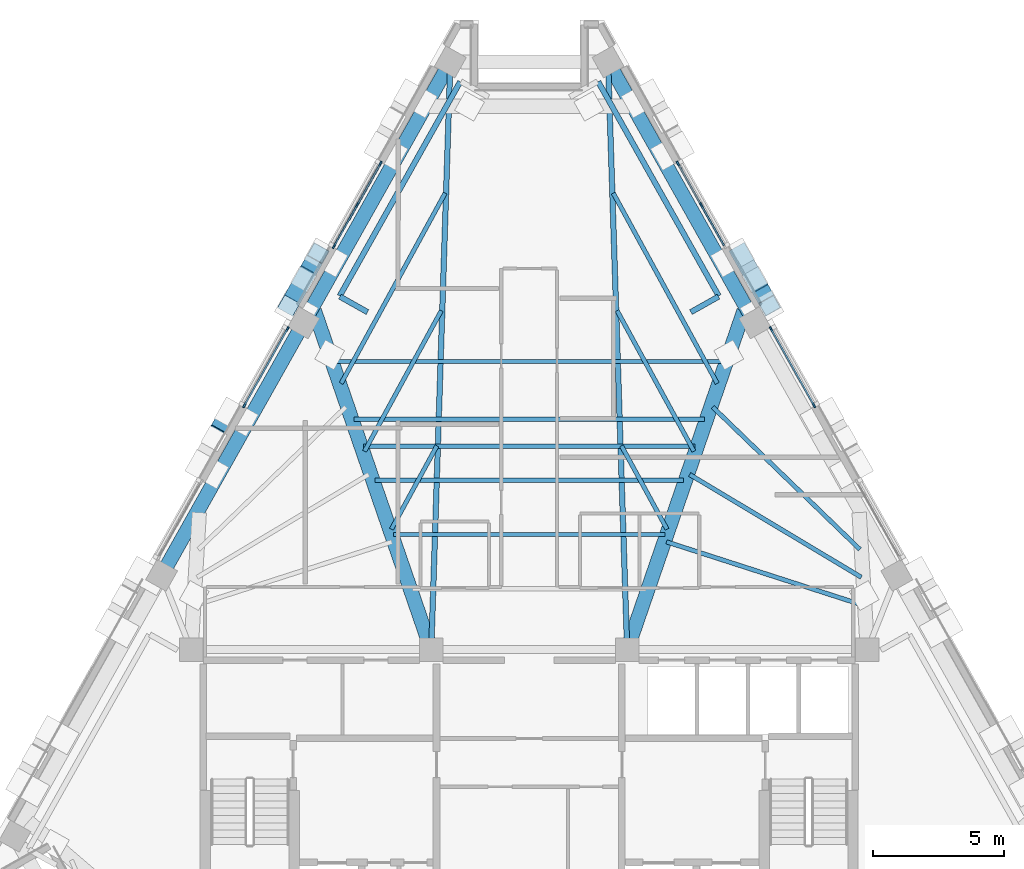
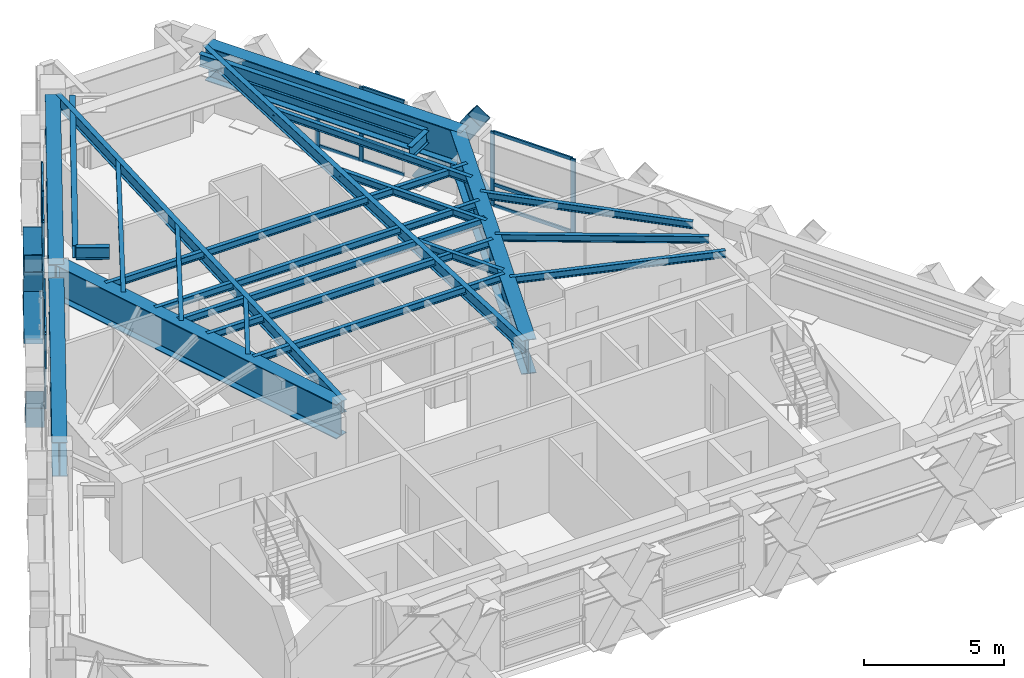
# One storey, part 4 of 13: 31 members, 25 beams, 4 elements without a shape of their own.
"""IFC4 building model written with IfcOpenShell, lengths in metres."""

import ifcopenshell
import ifcopenshell.guid

model = None  # the IFC model being written
_history = None  # IfcOwnerHistory: only IFC2X3 demands one
_inside = {}  # id of a spatial element -> (the spatial element, [elements in it])
_under = {}  # id of a project, library or spatial element -> (it, [spatial elements below it])
_declared = {}  # id of a project -> (the project, [libraries it declares])
_typed = {}  # id of a type object -> (the type object, [elements of that type])
_made_of = {}  # id of a material, layer set ... -> (it, [elements and type objects made of it])


def new_model(schema):
    """Start an empty IFC model of exactly this schema.

    Asked for "IFC4X3", IfcOpenShell would pick the latest addendum, in which some entities
    have other attributes; the version numbers below select the first issue.
    IFC2X3 requires an IfcOwnerHistory on every rooted entity: one is made here for all.
    """
    global model, _history
    if schema == "IFC4X3":
        model = ifcopenshell.file(schema_version=(4, 3, 0, 0))
    else:
        model = ifcopenshell.file(schema=schema)
    _inside.clear()
    _under.clear()
    _declared.clear()
    _typed.clear()
    _made_of.clear()
    _history = None
    if model.schema == "IFC2X3":
        org = make("IfcOrganization", Name="unknown")
        user = make(
            "IfcPersonAndOrganization",
            ThePerson=make("IfcPerson", FamilyName="unknown"),
            TheOrganization=org,
        )
        app = make(
            "IfcApplication",
            ApplicationDeveloper=org,
            Version="unknown",
            ApplicationFullName="unknown",
            ApplicationIdentifier="unknown",
        )
        _history = make(
            "IfcOwnerHistory",
            OwningUser=user,
            OwningApplication=app,
            ChangeAction="ADDED",
            CreationDate=0,
        )
    return model


def make(cls, **values):
    """One entity of the class cls with the attributes given. An attribute that is None is left unset."""
    return model.create_entity(
        cls, **{name: value for name, value in values.items() if value is not None}
    )


def rooted(cls, **values):
    """An entity with a GlobalId (a new one), such as an element, a storey or a relation."""
    return make(cls, GlobalId=ifcopenshell.guid.new(), OwnerHistory=_history, **values)


def si_unit(unit_type, name, prefix=None):
    """IfcSIUnit, for example si_unit("LENGTHUNIT", "METRE", prefix="MILLI")."""
    return make("IfcSIUnit", UnitType=unit_type, Prefix=prefix, Name=name)


def assignment(units):
    """IfcUnitAssignment: the units of a project."""
    return None if units is None else make("IfcUnitAssignment", Units=units)


def point(xyz):
    """IfcCartesianPoint."""
    return None if xyz is None else make("IfcCartesianPoint", Coordinates=xyz)


def direction(xyz):
    """IfcDirection."""
    return None if xyz is None else make("IfcDirection", DirectionRatios=xyz)


def frame(location, z_axis=None, x_axis=None):
    """IfcAxis2Placement3D, a coordinate frame: its origin and axes. An axis left out is left unset."""
    return make(
        "IfcAxis2Placement3D",
        Location=point(location),
        Axis=direction(z_axis),
        RefDirection=direction(x_axis),
    )


def frame_2d(location, x_axis=None):
    """IfcAxis2Placement2D, a coordinate frame in the plane: its origin and x axis."""
    return make(
        "IfcAxis2Placement2D", Location=point(location), RefDirection=direction(x_axis)
    )


def origin():
    """The frame at (0, 0, 0) with its axes left unset."""
    return frame((0.0, 0.0, 0.0))


def origin_2d():
    """The frame at (0, 0) in the plane with its x axis left unset."""
    return frame_2d((0.0, 0.0))


def place(relative_to, where):
    """IfcLocalPlacement: puts the frame where relative to a parent placement (None: the world)."""
    return make(
        "IfcLocalPlacement", PlacementRelTo=relative_to, RelativePlacement=where
    )


def context(
    kind, dimensions, precision=None, world=None, true_north=None, identifier=None
):
    """IfcGeometricRepresentationContext, for example the 3D "Model" context."""
    return make(
        "IfcGeometricRepresentationContext",
        ContextIdentifier=identifier,
        ContextType=kind,
        CoordinateSpaceDimension=dimensions,
        Precision=precision,
        WorldCoordinateSystem=world,
        TrueNorth=true_north,
    )


def subcontext(parent, identifier, kind, view, scale=None):
    """IfcGeometricRepresentationSubContext, for example "Body" below "Model"."""
    return make(
        "IfcGeometricRepresentationSubContext",
        ContextIdentifier=identifier,
        ContextType=kind,
        ParentContext=parent,
        TargetScale=scale,
        TargetView=view,
    )


def project(units=None, contexts=None):
    """IfcProject with its units and contexts."""
    return rooted(
        "IfcProject",
        Name="project",
        RepresentationContexts=contexts,
        UnitsInContext=assignment(units),
    )


def spatial(cls, under=None, at=None, **own):
    """A site, building, storey or space (cls), placed at a placement, below another one or the project."""
    s = rooted(cls, ObjectPlacement=at, **own)
    if under is not None:
        _under.setdefault(under.id(), (under, []))[1].append(s)
    return s


def profile(cls, at=None, kind="AREA", **sizes):
    """A parametric profile (cls). Its sizes go by their IFC names, for example OverallWidth=200.0."""
    return make(cls, ProfileType=kind, Position=at, **sizes)


def rectangle(**sizes):
    """IfcRectangleProfileDef."""
    return profile("IfcRectangleProfileDef", **sizes)


def hollow_rectangle(**sizes):
    """IfcRectangleHollowProfileDef."""
    return profile("IfcRectangleHollowProfileDef", **sizes)


def i_section(**sizes):
    """IfcIShapeProfileDef."""
    return profile("IfcIShapeProfileDef", **sizes)


def extrude(swept, where, along, depth):
    """IfcExtrudedAreaSolid: the profile swept, set in the frame where, extruded along a direction by depth."""
    return make(
        "IfcExtrudedAreaSolid",
        SweptArea=swept,
        Position=where,
        ExtrudedDirection=direction(along),
        Depth=depth,
    )


def shape(context_of_items, identifier, shape_type, items):
    """IfcShapeRepresentation: the items that make up one representation, for example the "Body"."""
    return make(
        "IfcShapeRepresentation",
        ContextOfItems=context_of_items,
        RepresentationIdentifier=identifier,
        RepresentationType=shape_type,
        Items=items,
    )


def material(Name=None, Category=None):
    """IfcMaterial."""
    return make("IfcMaterial", Name=Name, Category=Category)


def material_profile(
    of_material, cross_section, Name=None, Category=None, Priority=None
):
    """IfcMaterialProfile: a cross section and its material."""
    return make(
        "IfcMaterialProfile",
        Name=Name,
        Material=of_material,
        Profile=cross_section,
        Priority=Priority,
        Category=Category,
    )


def profile_set(profiles, Name=None, composite=None):
    """IfcMaterialProfileSet."""
    return make(
        "IfcMaterialProfileSet",
        Name=Name,
        MaterialProfiles=profiles,
        CompositeProfile=composite,
    )


def made_of(thing, what):
    """Note that an element or type object is made of a material, layer set ...; save() writes the relation."""
    if what is not None:
        _made_of.setdefault(what.id(), (what, []))[1].append(thing)
    return thing


def type_object(cls, material=None, **own):
    """A type object (cls), such as IfcWallType, which elements share."""
    return made_of(rooted(cls, **own), material)


def element(
    cls,
    number,
    at=None,
    inside=None,
    cuts=None,
    type_object=None,
    material=None,
    context=None,
    identifier="Body",
    shape_type=None,
    held_by="IfcProductDefinitionShape",
    body=None,
    shapes=None,
    **own,
):
    """One element of the class cls, such as IfcWall. Its Tag is "e" and its number.

    at: its placement. inside: the storey or other place that contains it. cuts: it is an
    opening in that element (IfcRelVoidsElement). A single representation is given by context,
    identifier, shape_type and body (its items); several are given by shapes. held_by: the class
    of the entity that holds the representations. save() writes the other relations.
    """
    e = rooted(cls, Tag="e%d" % number, ObjectPlacement=at, **own)
    if body is not None:
        shapes = [shape(context, identifier, shape_type, body)]
    if shapes is not None:
        e.Representation = make(held_by, Representations=shapes)
    if inside is not None:
        _inside.setdefault(inside.id(), (inside, []))[1].append(e)
    if cuts is not None:
        rooted(
            "IfcRelVoidsElement", RelatingBuildingElement=cuts, RelatedOpeningElement=e
        )
    if type_object is not None:
        _typed.setdefault(type_object.id(), (type_object, []))[1].append(e)
    return made_of(e, material)


def aggregate(whole, parts):
    """IfcRelAggregates: a whole, such as a stair, and the parts it consists of."""
    return rooted("IfcRelAggregates", RelatingObject=whole, RelatedObjects=parts)


def save(model, path):
    """Write the relations noted so far, then the file.

    IfcRelAggregates (storeys below a building ...), IfcRelContainedInSpatialStructure (elements
    in a storey), IfcRelDefinesByType, IfcRelAssociatesMaterial and IfcRelDeclares: one each for
    every whole, place, type object, material and project.
    """
    for whole, parts in _under.values():
        aggregate(whole, parts)
    for where, things in _inside.values():
        rooted(
            "IfcRelContainedInSpatialStructure",
            RelatedElements=things,
            RelatingStructure=where,
        )
    for kind, things in _typed.values():
        rooted("IfcRelDefinesByType", RelatedObjects=things, RelatingType=kind)
    for what, things in _made_of.values():
        rooted("IfcRelAssociatesMaterial", RelatedObjects=things, RelatingMaterial=what)
    for by, libraries in _declared.values():
        rooted("IfcRelDeclares", RelatingContext=by, RelatedDefinitions=libraries)
    model.write(path)


model = new_model("IFC4")

# Units and contexts
model_context = context("Model", 3, precision=1e-05, world=origin(), true_north=direction((0.0, 1.0)))
body_context = subcontext(model_context, "Body", "Model", "MODEL_VIEW")
ifc_project = project(units=[si_unit("LENGTHUNIT", "METRE"), si_unit("AREAUNIT", "SQUARE_METRE"), si_unit("VOLUMEUNIT", "CUBIC_METRE"), si_unit("PLANEANGLEUNIT", "RADIAN"), si_unit("MASSUNIT", "GRAM", prefix="KILO")], contexts=[model_context])

# Site, building, storey
site_placement = place(None, origin())
site = spatial("IfcSite", under=ifc_project, at=site_placement, CompositionType="ELEMENT")
building_placement = place(site_placement, origin())
building = spatial("IfcBuilding", under=site, at=building_placement, Name="Quenlor Broadcast Tower", CompositionType="ELEMENT")
storey_placement = place(building_placement, frame((0.0, 0.0, 225.39990234375)))
storey = spatial("IfcBuildingStorey", under=building, at=storey_placement, Name="L62", CompositionType="ELEMENT", Elevation=225.39990234375)

# Curtain wall, members
ifc_material_1 = material(Name="Architectural Terracotta and Low-E Glazing", Category="masonry")
curtain_wall_type = type_object("IfcCurtainWallType", Name="Unitised Terracotta Curtain Wall System Z4", PredefinedType="NOTDEFINED", material=ifc_material_1)
curtain_wall_1_placement = place(storey_placement, origin())
curtain_wall_1 = element("IfcCurtainWall", 1, at=curtain_wall_1_placement, inside=storey, type_object=curtain_wall_type, Name="L62 Curtain Wall CW4 (L62-NEA-G1)", PredefinedType="NOTDEFINED")
ifc_material_2 = material(Name="Aluminium 6063-T6", Category="aluminium")
ifc_material_profile_1 = material_profile(ifc_material_2, rectangle(XDim=0.068115234375, YDim=0.179931640625, at=origin_2d()))
ifc_profile_set_1 = profile_set([ifc_material_profile_1], Name="Aluminium 6063-T6 MULL68x180")
member_type_1 = type_object("IfcMemberType", Name="CW4 Aluminium Mullion MULL_CW4", PredefinedType="MULLION", material=ifc_profile_set_1)
member_1_placement = place(storey_placement, frame((5.693115234375, 13.820068359375, 0.0), z_axis=(0.0, 0.0, 1.0), x_axis=(0.871576257465, 0.490259959025, 0.0)))
member_1 = element("IfcMember", 2, at=member_1_placement, type_object=member_type_1, Name="CW4 mullion 1", PredefinedType="MULLION", context=body_context, shape_type="SweptSolid", body=[
    extrude(rectangle(XDim=0.068115234375, YDim=0.179931640625, at=origin_2d()), origin(), (0.0, 0.0, 1.0), 3.25),
])
member_2_placement = place(storey_placement, frame((6.585205078125, 12.23388671875, 0.0), z_axis=(0.0, 0.0, 1.0), x_axis=(0.871576257465, 0.490259959025, 0.0)))
member_2 = element("IfcMember", 3, at=member_2_placement, type_object=member_type_1, Name="CW4 mullion 2", PredefinedType="MULLION", context=body_context, shape_type="SweptSolid", body=[
    extrude(rectangle(XDim=0.068115234375, YDim=0.179931640625, at=origin_2d()), origin(), (0.0, 0.0, 1.0), 3.25),
])

curtain_wall_2_placement = place(storey_placement, origin())
curtain_wall_2 = element("IfcCurtainWall", 4, at=curtain_wall_2_placement, inside=storey, type_object=curtain_wall_type, Name="L62 Curtain Wall CW4 (L62-NE-G1)", PredefinedType="NOTDEFINED")
member_3_placement = place(storey_placement, frame((9.257080078125, 7.484130859375, 0.0), z_axis=(0.0, 0.0, 1.0), x_axis=(0.871577871382, 0.490257089819, 0.0)))
member_3 = element("IfcMember", 5, at=member_3_placement, type_object=member_type_1, Name="CW4 mullion 1", PredefinedType="MULLION", context=body_context, shape_type="SweptSolid", body=[
    extrude(rectangle(XDim=0.068115234375, YDim=0.179931640625, at=origin_2d()), origin(), (0.0, 0.0, 1.0), 3.25),
])
member_4_placement = place(storey_placement, frame((10.906494140625, 4.5517578125, 0.0), z_axis=(0.0, 0.0, 1.0), x_axis=(0.871577871382, 0.490257089819, 0.0)))
member_4 = element("IfcMember", 6, at=member_4_placement, type_object=member_type_1, Name="CW4 mullion 2", PredefinedType="MULLION", context=body_context, shape_type="SweptSolid", body=[
    extrude(rectangle(XDim=0.068115234375, YDim=0.179931640625, at=origin_2d()), origin(), (0.0, 0.0, 1.0), 3.25),
])

curtain_wall_3_placement = place(storey_placement, origin())
curtain_wall_3 = element("IfcCurtainWall", 7, at=curtain_wall_3_placement, inside=storey, type_object=curtain_wall_type, Name="L62 Curtain Wall CW4 (L62-NWC-G1)", PredefinedType="NOTDEFINED")
member_5_placement = place(storey_placement, frame((-7.477294921875, 10.64794921875, 0.0), z_axis=(0.0, 0.0, 1.0), x_axis=(-0.871576257465, 0.490259959025, 0.0)))
member_5 = element("IfcMember", 8, at=member_5_placement, type_object=member_type_1, Name="CW4 mullion 1", PredefinedType="MULLION", context=body_context, shape_type="SweptSolid", body=[
    extrude(rectangle(XDim=0.068115234375, YDim=0.179931640625, at=origin_2d()), origin(), (0.0, 0.0, 1.0), 3.25),
])
member_6_placement = place(storey_placement, frame((-6.585205078125, 12.23388671875, 0.0), z_axis=(0.0, 0.0, 1.0), x_axis=(-0.871576257465, 0.490259959025, 0.0)))
member_6 = element("IfcMember", 9, at=member_6_placement, type_object=member_type_1, Name="CW4 mullion 2", PredefinedType="MULLION", context=body_context, shape_type="SweptSolid", body=[
    extrude(rectangle(XDim=0.068115234375, YDim=0.179931640625, at=origin_2d()), origin(), (0.0, 0.0, 1.0), 3.25),
])
member_7_placement = place(storey_placement, frame((-5.693115234375, 13.820068359375, 0.0), z_axis=(0.0, 0.0, 1.0), x_axis=(-0.871576257465, 0.490259959025, 0.0)))
member_7 = element("IfcMember", 10, at=member_7_placement, type_object=member_type_1, Name="CW4 mullion 3", PredefinedType="MULLION", context=body_context, shape_type="SweptSolid", body=[
    extrude(rectangle(XDim=0.068115234375, YDim=0.179931640625, at=origin_2d()), origin(), (0.0, 0.0, 1.0), 3.25),
])

curtain_wall_4_placement = place(storey_placement, origin())
curtain_wall_4 = element("IfcCurtainWall", 11, at=curtain_wall_4_placement, inside=storey, type_object=curtain_wall_type, Name="L62 Curtain Wall CW4 (L62-NW-G2)", PredefinedType="NOTDEFINED")
member_8_placement = place(storey_placement, frame((-10.906494140625, 4.5517578125, 0.0), z_axis=(0.0, 0.0, 1.0), x_axis=(-0.871577871382, 0.490257089819, 0.0)))
member_8 = element("IfcMember", 12, at=member_8_placement, type_object=member_type_1, Name="CW4 mullion 1", PredefinedType="MULLION", context=body_context, shape_type="SweptSolid", body=[
    extrude(rectangle(XDim=0.068115234375, YDim=0.179931640625, at=origin_2d()), origin(), (0.0, 0.0, 1.0), 3.25),
])
member_9_placement = place(storey_placement, frame((-9.257080078125, 7.484130859375, 0.0), z_axis=(0.0, 0.0, 1.0), x_axis=(-0.871577871382, 0.490257089819, 0.0)))
member_9 = element("IfcMember", 13, at=member_9_placement, type_object=member_type_1, Name="CW4 mullion 2", PredefinedType="MULLION", context=body_context, shape_type="SweptSolid", body=[
    extrude(rectangle(XDim=0.068115234375, YDim=0.179931640625, at=origin_2d()), origin(), (0.0, 0.0, 1.0), 3.25),
])

# Member
ifc_material_3 = material(Name="Aluminium 6063-T6", Category="aluminium")
ifc_material_profile_2 = material_profile(ifc_material_3, rectangle(XDim=0.068115234375, YDim=0.14990234375, at=origin_2d()))
ifc_profile_set_2 = profile_set([ifc_material_profile_2], Name="Aluminium 6063-T6 TRAN68x150")
member_type_2 = type_object("IfcMemberType", Name="CW4 Aluminium Transom TRAN_CW4", PredefinedType="USERDEFINED", material=ifc_profile_set_2)
member_10_placement = place(storey_placement, frame((5.709716796875, 13.790283203125, 0.0341796875), z_axis=(0.490334029137, -0.871534589027, 0.0), x_axis=(0.871534589027, 0.490334029137, 0.0)))
member_10 = element("IfcMember", 14, at=member_10_placement, type_object=member_type_2, Name="CW4 transom 1.1", ObjectType="TRANSOM", PredefinedType="USERDEFINED", context=body_context, shape_type="SweptSolid", body=[
    extrude(rectangle(XDim=0.068115234375, YDim=0.14990234375, at=origin_2d()), origin(), (0.0, 0.0, 1.0), 1.751708984375),
])

member_11_placement = place(storey_placement, frame((6.601806640625, 12.204345703125, 0.0341796875), z_axis=(0.490274472735, -0.871568093372, 0.0), x_axis=(0.871568093372, 0.490274472735, 0.0)))
member_11 = element("IfcMember", 15, at=member_11_placement, type_object=member_type_2, Name="CW4 transom 2.1", ObjectType="TRANSOM", PredefinedType="USERDEFINED", context=body_context, shape_type="SweptSolid", body=[
    extrude(rectangle(XDim=0.068115234375, YDim=0.14990234375, at=origin_2d()), origin(), (0.0, 0.0, 1.0), 1.751953125),
])

member_12_placement = place(storey_placement, frame((6.601806640625, 12.204345703125, 0.9501953125), z_axis=(0.490274472735, -0.871568093372, 0.0), x_axis=(0.871568093372, 0.490274472735, 0.0)))
member_12 = element("IfcMember", 16, at=member_12_placement, type_object=member_type_2, Name="CW4 transom 2.2", ObjectType="TRANSOM", PredefinedType="USERDEFINED", context=body_context, shape_type="SweptSolid", body=[
    extrude(rectangle(XDim=0.068115234375, YDim=0.14990234375, at=origin_2d()), origin(), (0.0, 0.0, 1.0), 1.751953125),
])

member_13_placement = place(storey_placement, frame((6.601806640625, 12.204345703125, 3.216064453125), z_axis=(0.490274472735, -0.871568093372, 0.0), x_axis=(0.871568093372, 0.490274472735, 0.0)))
member_13 = element("IfcMember", 17, at=member_13_placement, type_object=member_type_2, Name="CW4 transom 2.3", ObjectType="TRANSOM", PredefinedType="USERDEFINED", context=body_context, shape_type="SweptSolid", body=[
    extrude(rectangle(XDim=0.068115234375, YDim=0.14990234375, at=origin_2d()), origin(), (0.0, 0.0, 1.0), 1.751953125),
])

aggregate(curtain_wall_1, [member_1, member_2, member_10, member_11, member_12, member_13])

member_14_placement = place(storey_placement, frame((9.273681640625, 7.454345703125, 0.0341796875), z_axis=(0.490264756272, -0.871573559005, 0.0), x_axis=(0.871573559005, 0.490264756272, 0.0)))
member_14 = element("IfcMember", 18, at=member_14_placement, type_object=member_type_2, Name="CW4 transom 1.1", ObjectType="TRANSOM", PredefinedType="USERDEFINED", context=body_context, shape_type="SweptSolid", body=[
    extrude(rectangle(XDim=0.068115234375, YDim=0.14990234375, at=origin_2d()), origin(), (0.0, 0.0, 1.0), 3.296142578125),
])

member_15_placement = place(storey_placement, frame((9.273681640625, 7.454345703125, 0.9501953125), z_axis=(0.490264756272, -0.871573559005, 0.0), x_axis=(0.871573559005, 0.490264756272, 0.0)))
member_15 = element("IfcMember", 19, at=member_15_placement, type_object=member_type_2, Name="CW4 transom 1.2", ObjectType="TRANSOM", PredefinedType="USERDEFINED", context=body_context, shape_type="SweptSolid", body=[
    extrude(rectangle(XDim=0.068115234375, YDim=0.14990234375, at=origin_2d()), origin(), (0.0, 0.0, 1.0), 3.296142578125),
])

member_16_placement = place(storey_placement, frame((9.273681640625, 7.454345703125, 3.216064453125), z_axis=(0.490264756272, -0.871573559005, 0.0), x_axis=(0.871573559005, 0.490264756272, 0.0)))
member_16 = element("IfcMember", 20, at=member_16_placement, type_object=member_type_2, Name="CW4 transom 1.3", ObjectType="TRANSOM", PredefinedType="USERDEFINED", context=body_context, shape_type="SweptSolid", body=[
    extrude(rectangle(XDim=0.068115234375, YDim=0.14990234375, at=origin_2d()), origin(), (0.0, 0.0, 1.0), 3.296142578125),
])

aggregate(curtain_wall_2, [member_3, member_4, member_14, member_15, member_16])

member_17_placement = place(storey_placement, frame((-7.460693359375, 10.677490234375, 0.0341796875), z_axis=(0.490274472735, 0.871568093372, 0.0), x_axis=(-0.871568093372, 0.490274472735, 0.0)))
member_17 = element("IfcMember", 21, at=member_17_placement, type_object=member_type_2, Name="CW4 transom 1.1", ObjectType="TRANSOM", PredefinedType="USERDEFINED", context=body_context, shape_type="SweptSolid", body=[
    extrude(rectangle(XDim=0.068115234375, YDim=0.14990234375, at=origin_2d()), origin(), (0.0, 0.0, 1.0), 1.751953125),
])

member_18_placement = place(storey_placement, frame((-7.460693359375, 10.677490234375, 0.9501953125), z_axis=(0.490274472735, 0.871568093372, 0.0), x_axis=(-0.871568093372, 0.490274472735, 0.0)))
member_18 = element("IfcMember", 22, at=member_18_placement, type_object=member_type_2, Name="CW4 transom 1.2", ObjectType="TRANSOM", PredefinedType="USERDEFINED", context=body_context, shape_type="SweptSolid", body=[
    extrude(rectangle(XDim=0.068115234375, YDim=0.14990234375, at=origin_2d()), origin(), (0.0, 0.0, 1.0), 1.751953125),
])

member_19_placement = place(storey_placement, frame((-7.460693359375, 10.677490234375, 3.216064453125), z_axis=(0.490274472735, 0.871568093372, 0.0), x_axis=(-0.871568093372, 0.490274472735, 0.0)))
member_19 = element("IfcMember", 23, at=member_19_placement, type_object=member_type_2, Name="CW4 transom 1.3", ObjectType="TRANSOM", PredefinedType="USERDEFINED", context=body_context, shape_type="SweptSolid", body=[
    extrude(rectangle(XDim=0.068115234375, YDim=0.14990234375, at=origin_2d()), origin(), (0.0, 0.0, 1.0), 1.751953125),
])

member_20_placement = place(storey_placement, frame((-6.568603515625, 12.263671875, 0.0341796875), z_axis=(0.490334029137, 0.871534589027, 0.0), x_axis=(-0.871534589027, 0.490334029137, 0.0)))
member_20 = element("IfcMember", 24, at=member_20_placement, type_object=member_type_2, Name="CW4 transom 2.1", ObjectType="TRANSOM", PredefinedType="USERDEFINED", context=body_context, shape_type="SweptSolid", body=[
    extrude(rectangle(XDim=0.068115234375, YDim=0.14990234375, at=origin_2d()), origin(), (0.0, 0.0, 1.0), 1.751708984375),
])

member_21_placement = place(storey_placement, frame((-6.568603515625, 12.263671875, 0.9501953125), z_axis=(0.490334029137, 0.871534589027, 0.0), x_axis=(-0.871534589027, 0.490334029137, 0.0)))
member_21 = element("IfcMember", 25, at=member_21_placement, type_object=member_type_2, Name="CW4 transom 2.2", ObjectType="TRANSOM", PredefinedType="USERDEFINED", context=body_context, shape_type="SweptSolid", body=[
    extrude(rectangle(XDim=0.068115234375, YDim=0.14990234375, at=origin_2d()), origin(), (0.0, 0.0, 1.0), 1.751708984375),
])

member_22_placement = place(storey_placement, frame((-6.568603515625, 12.263671875, 3.216064453125), z_axis=(0.490334029137, 0.871534589027, 0.0), x_axis=(-0.871534589027, 0.490334029137, 0.0)))
member_22 = element("IfcMember", 26, at=member_22_placement, type_object=member_type_2, Name="CW4 transom 2.3", ObjectType="TRANSOM", PredefinedType="USERDEFINED", context=body_context, shape_type="SweptSolid", body=[
    extrude(rectangle(XDim=0.068115234375, YDim=0.14990234375, at=origin_2d()), origin(), (0.0, 0.0, 1.0), 1.751708984375),
])

aggregate(curtain_wall_3, [member_5, member_6, member_7, member_17, member_18, member_19, member_20, member_21, member_22])

member_23_placement = place(storey_placement, frame((-10.8896484375, 4.58154296875, 0.0341796875), z_axis=(0.490264756272, 0.871573559005, 0.0), x_axis=(-0.871573559005, 0.490264756272, 0.0)))
member_23 = element("IfcMember", 27, at=member_23_placement, type_object=member_type_2, Name="CW4 transom 1.1", ObjectType="TRANSOM", PredefinedType="USERDEFINED", context=body_context, shape_type="SweptSolid", body=[
    extrude(rectangle(XDim=0.068115234375, YDim=0.14990234375, at=origin_2d()), origin(), (0.0, 0.0, 1.0), 3.296142578125),
])

member_24_placement = place(storey_placement, frame((-10.8896484375, 4.58154296875, 0.9501953125), z_axis=(0.490264756272, 0.871573559005, 0.0), x_axis=(-0.871573559005, 0.490264756272, 0.0)))
member_24 = element("IfcMember", 28, at=member_24_placement, type_object=member_type_2, Name="CW4 transom 1.2", ObjectType="TRANSOM", PredefinedType="USERDEFINED", context=body_context, shape_type="SweptSolid", body=[
    extrude(rectangle(XDim=0.068115234375, YDim=0.14990234375, at=origin_2d()), origin(), (0.0, 0.0, 1.0), 3.296142578125),
])

member_25_placement = place(storey_placement, frame((-10.8896484375, 4.58154296875, 3.216064453125), z_axis=(0.490264756272, 0.871573559005, 0.0), x_axis=(-0.871573559005, 0.490264756272, 0.0)))
member_25 = element("IfcMember", 29, at=member_25_placement, type_object=member_type_2, Name="CW4 transom 1.3", ObjectType="TRANSOM", PredefinedType="USERDEFINED", context=body_context, shape_type="SweptSolid", body=[
    extrude(rectangle(XDim=0.068115234375, YDim=0.14990234375, at=origin_2d()), origin(), (0.0, 0.0, 1.0), 3.296142578125),
])

aggregate(curtain_wall_4, [member_8, member_9, member_23, member_24, member_25])

# Members
ifc_material_4 = material(Name="Steel S355", Category="steel")
ifc_material_profile_3 = material_profile(ifc_material_4, hollow_rectangle(XDim=0.679931640625, YDim=0.679931640625, WallThickness=0.02490234375, at=origin_2d()))
ifc_profile_set_3 = profile_set([ifc_material_profile_3], Name="Steel S355 RHS680x680x25")
member_type_3 = type_object("IfcMemberType", Name="Perimeter Diagonal Lattice Brace Z3-Z4 Steel S355 RHS680x25", PredefinedType="BRACE", material=ifc_profile_set_3)
member_26_placement = place(storey_placement, frame((8.079345703125, 10.38330078125, -0.119873046875), z_axis=(0.269547055694, -0.479136497832, 0.835327840559), x_axis=(0.871550060774, 0.49030652817, 0.0)))
element("IfcMember", 30, at=member_26_placement, inside=storey, type_object=member_type_3, Name="L62 Perimeter Diamond Lattice NE-C2XA", PredefinedType="BRACE", context=body_context, shape_type="SweptSolid", body=[
    extrude(hollow_rectangle(XDim=0.679931640625, YDim=0.679931640625, WallThickness=0.02490234375, at=origin_2d()), origin(), (0.0, 0.0, 1.0), 4.18994140625),
])
for number, where, z_axis, x_axis, name in (
    (31, (9.208740234375, 8.375732421875, -0.119873046875), (-0.269535527865, 0.479130165145, 0.835335192642), (-0.871556252289, -0.490295522207, 0.0), "L62 Perimeter Diamond Lattice NE-C2XB1"),
    (32, (-11.508544921875, 4.287109375, -0.119873046875), (-0.269535527865, -0.479130165145, 0.835335192642), (0.871556252289, -0.490295522207, 0.0), "L62 Perimeter Diamond Lattice NW-C3XB1"),
):
    element("IfcMember", number, at=place(storey_placement, frame(where, z_axis=z_axis, x_axis=x_axis)), inside=storey, type_object=member_type_3, Name=name, PredefinedType="BRACE", context=body_context, shape_type="SweptSolid", body=[
        extrude(hollow_rectangle(XDim=0.679931640625, YDim=0.679931640625, WallThickness=0.02490234375, at=origin_2d()), origin(), (0.0, 0.0, 1.0), 1.844970703125),
    ])
member_27_placement = place(storey_placement, frame((-9.208740234375, 8.375732421875, -0.119873046875), z_axis=(0.269547055694, 0.479136497832, 0.835327840559), x_axis=(-0.871550060774, 0.49030652817, 0.0)))
element("IfcMember", 33, at=member_27_placement, inside=storey, type_object=member_type_3, Name="L62 Perimeter Diamond Lattice NW-C4XA", PredefinedType="BRACE", context=body_context, shape_type="SweptSolid", body=[
    extrude(hollow_rectangle(XDim=0.679931640625, YDim=0.679931640625, WallThickness=0.02490234375, at=origin_2d()), origin(), (0.0, 0.0, 1.0), 4.18994140625),
])
for number, where, z_axis, x_axis, name in (
    (34, (-8.079345703125, 10.38330078125, -0.119873046875), (-0.269535527865, -0.479130165145, 0.835335192642), (0.871556252289, -0.490295522207, 0.0), "L62 Perimeter Diamond Lattice NW-C4XB1"),
    (35, (-8.71142578125, 9.259765625, 1.8388671875), (-0.269535527865, -0.479130165145, 0.835335192642), (0.871556252289, -0.490295522207, 0.0), "L62 Perimeter Diamond Lattice NW-C4XB2"),
):
    element("IfcMember", number, at=place(storey_placement, frame(where, z_axis=z_axis, x_axis=x_axis)), inside=storey, type_object=member_type_3, Name=name, PredefinedType="BRACE", context=body_context, shape_type="SweptSolid", body=[
        extrude(hollow_rectangle(XDim=0.679931640625, YDim=0.679931640625, WallThickness=0.02490234375, at=origin_2d()), origin(), (0.0, 0.0, 1.0), 1.844970703125),
    ])

# Beams
ifc_material_5 = material(Name="Steel S355", Category="steel")
ifc_material_profile_4 = material_profile(ifc_material_5, i_section(OverallWidth=0.208984375, OverallDepth=0.532958984375, WebThickness=0.01025390625, FlangeThickness=0.015625, FilletRadius=0.013916015625, at=origin_2d()))
ifc_profile_set_4 = profile_set([ifc_material_profile_4], Name="Steel S355 530UB92.4")
beam_type_1 = type_object("IfcBeamType", Name="Perimeter Spandrel Beam Z1 Steel S355 530UB92.4", PredefinedType="SPANDREL", material=ifc_profile_set_4)
beam_1_placement = place(storey_placement, frame((6.192626953125, 8.126708984375, 2.983642578125), z_axis=(0.871661741425, 0.490107956001, 0.0), x_axis=(-0.490107956001, 0.871661741425, 0.0)))
element("IfcBeam", 36, at=beam_1_placement, inside=storey, type_object=beam_type_1, Name="L62 Lattice Sill Radial Tie NEA2", PredefinedType="SPANDREL", context=body_context, shape_type="SweptSolid", body=[
    extrude(i_section(OverallWidth=0.208984375, OverallDepth=0.532958984375, WebThickness=0.01025390625, FlangeThickness=0.015625, FilletRadius=0.013916015625, at=origin_2d()), origin(), (0.0, 0.0, 1.0), 1.2099609375),
])
beam_2_placement = place(storey_placement, frame((2.64208984375, 16.94775390625, 2.983642578125), z_axis=(0.490253848015, -0.871579694868, 0.0), x_axis=(0.871579694868, 0.490253848015, 0.0)))
element("IfcBeam", 37, at=beam_2_placement, inside=storey, type_object=beam_type_1, Name="L62 Lattice Sill Girder NEA", PredefinedType="SPANDREL", context=body_context, shape_type="SweptSolid", body=[
    extrude(i_section(OverallWidth=0.208984375, OverallDepth=0.532958984375, WebThickness=0.01025390625, FlangeThickness=0.015625, FilletRadius=0.013916015625, at=origin_2d()), origin(), (0.0, 0.0, 1.0), 9.408935546875),
])
beam_3_placement = place(storey_placement, frame((-6.192626953125, 8.126708984375, 2.983642578125), z_axis=(-0.871661741425, 0.490107956001, 0.0), x_axis=(-0.490107956001, -0.871661741425, 0.0)))
element("IfcBeam", 38, at=beam_3_placement, inside=storey, type_object=beam_type_1, Name="L62 Lattice Sill Radial Tie NWB1", PredefinedType="SPANDREL", context=body_context, shape_type="SweptSolid", body=[
    extrude(i_section(OverallWidth=0.208984375, OverallDepth=0.532958984375, WebThickness=0.01025390625, FlangeThickness=0.015625, FilletRadius=0.013916015625, at=origin_2d()), origin(), (0.0, 0.0, 1.0), 1.2099609375),
])
beam_4_placement = place(storey_placement, frame((-7.2548828125, 8.7470703125, 2.983642578125), z_axis=(0.490253848015, 0.871579694868, 0.0), x_axis=(-0.871579694868, 0.490253848015, 0.0)))
element("IfcBeam", 39, at=beam_4_placement, inside=storey, type_object=beam_type_1, Name="L62 Lattice Sill Girder NWB", PredefinedType="SPANDREL", context=body_context, shape_type="SweptSolid", body=[
    extrude(i_section(OverallWidth=0.208984375, OverallDepth=0.532958984375, WebThickness=0.01025390625, FlangeThickness=0.015625, FilletRadius=0.013916015625, at=origin_2d()), origin(), (0.0, 0.0, 1.0), 9.408935546875),
])
ifc_material_6 = material(Name="Steel S355", Category="steel")
ifc_material_profile_5 = material_profile(ifc_material_6, i_section(OverallWidth=0.166015625, OverallDepth=0.30712890625, WebThickness=0.006591796875, FlangeThickness=0.01171875, FilletRadius=0.011474609375, at=origin_2d()))
ifc_profile_set_5 = profile_set([ifc_material_profile_5], Name="Steel S355 310UB46.2")
beam_type_2 = type_object("IfcBeamType", Name="Tower Composite Joist Z4-Z5 Steel S355 310UB46.2", PredefinedType="JOIST", material=ifc_profile_set_5)
beam_5_placement = place(storey_placement, frame((-6.3544921875, 2.987548828125, 3.096435546875), z_axis=(1.0, 0.0, 0.0), x_axis=(0.0, 1.0, 0.0)))
element("IfcBeam", 40, at=beam_5_placement, inside=storey, type_object=beam_type_2, Name="L62 Secondary Composite Joist 2", PredefinedType="JOIST", context=body_context, shape_type="SweptSolid", body=[
    extrude(i_section(OverallWidth=0.166015625, OverallDepth=0.30712890625, WebThickness=0.006591796875, FlangeThickness=0.01171875, FilletRadius=0.011474609375, at=origin_2d()), origin(), (0.0, 0.0, 1.0), 12.708984375),
])
beam_6_placement = place(storey_placement, frame((-5.191162109375, -0.38720703125, 3.096435546875), z_axis=(1.0, 0.0, 0.0), x_axis=(0.0, 1.0, 0.0)))
element("IfcBeam", 41, at=beam_6_placement, inside=storey, type_object=beam_type_2, Name="L62 Secondary Composite Joist 3", PredefinedType="JOIST", context=body_context, shape_type="SweptSolid", body=[
    extrude(i_section(OverallWidth=0.166015625, OverallDepth=0.30712890625, WebThickness=0.006591796875, FlangeThickness=0.01171875, FilletRadius=0.011474609375, at=origin_2d()), origin(), (0.0, 0.0, 1.0), 10.38232421875),
])
beam_7_placement = place(storey_placement, frame((-5.906982421875, 1.689697265625, 3.096435546875), z_axis=(1.0, 0.0, 0.0), x_axis=(0.0, 1.0, 0.0)))
element("IfcBeam", 42, at=beam_7_placement, inside=storey, type_object=beam_type_2, Name="L62 Secondary Composite Joist 4", PredefinedType="JOIST", context=body_context, shape_type="SweptSolid", body=[
    extrude(i_section(OverallWidth=0.166015625, OverallDepth=0.30712890625, WebThickness=0.006591796875, FlangeThickness=0.01171875, FilletRadius=0.011474609375, at=origin_2d()), origin(), (0.0, 0.0, 1.0), 11.81396484375),
])
beam_8_placement = place(storey_placement, frame((-6.71240234375, 4.02587890625, 3.096435546875), z_axis=(1.0, 0.0, 0.0), x_axis=(0.0, 1.0, 0.0)))
element("IfcBeam", 43, at=beam_8_placement, inside=storey, type_object=beam_type_2, Name="L62 Secondary Composite Joist 5", PredefinedType="JOIST", context=body_context, shape_type="SweptSolid", body=[
    extrude(i_section(OverallWidth=0.166015625, OverallDepth=0.30712890625, WebThickness=0.006591796875, FlangeThickness=0.01171875, FilletRadius=0.011474609375, at=origin_2d()), origin(), (0.0, 0.0, 1.0), 13.4248046875),
])
beam_9_placement = place(storey_placement, frame((-7.472900390625, 6.232421875, 3.096435546875), z_axis=(1.0, 0.0, 0.0), x_axis=(0.0, 1.0, 0.0)))
element("IfcBeam", 44, at=beam_9_placement, inside=storey, type_object=beam_type_2, Name="L62 Secondary Composite Joist 6", PredefinedType="JOIST", context=body_context, shape_type="SweptSolid", body=[
    extrude(i_section(OverallWidth=0.166015625, OverallDepth=0.30712890625, WebThickness=0.006591796875, FlangeThickness=0.01171875, FilletRadius=0.011474609375, at=origin_2d()), origin(), (0.0, 0.0, 1.0), 14.94580078125),
])
beam_10_placement = place(storey_placement, frame((12.77294921875, -3.0947265625, 3.096435546875), z_axis=(-0.951732801746, 0.306927799459, 0.0), x_axis=(-0.306927799459, -0.951732801746, 0.0)))
element("IfcBeam", 45, at=beam_10_placement, inside=storey, type_object=beam_type_2, Name="L62 Secondary Composite Joist 10", PredefinedType="JOIST", context=body_context, shape_type="SweptSolid", body=[
    extrude(i_section(OverallWidth=0.166015625, OverallDepth=0.30712890625, WebThickness=0.006591796875, FlangeThickness=0.01171875, FilletRadius=0.011474609375, at=origin_2d()), origin(), (0.0, 0.0, 1.0), 7.896240234375),
])
beam_11_placement = place(storey_placement, frame((12.71728515625, -2.02783203125, 3.096435546875), z_axis=(-0.857914433604, 0.5137925891, 0.0), x_axis=(-0.5137925891, -0.857914433604, 0.0)))
element("IfcBeam", 46, at=beam_11_placement, inside=storey, type_object=beam_type_2, Name="L62 Secondary Composite Joist 11", PredefinedType="JOIST", context=body_context, shape_type="SweptSolid", body=[
    extrude(i_section(OverallWidth=0.166015625, OverallDepth=0.30712890625, WebThickness=0.006591796875, FlangeThickness=0.01171875, FilletRadius=0.011474609375, at=origin_2d()), origin(), (0.0, 0.0, 1.0), 7.66064453125),
])
beam_12_placement = place(storey_placement, frame((12.665283203125, -0.962890625, 3.096435546875), z_axis=(-0.718746160284, 0.695272577538, 0.0), x_axis=(-0.695272577538, -0.718746160284, 0.0)))
element("IfcBeam", 47, at=beam_12_placement, inside=storey, type_object=beam_type_2, Name="L62 Secondary Composite Joist 12", PredefinedType="JOIST", context=body_context, shape_type="SweptSolid", body=[
    extrude(i_section(OverallWidth=0.166015625, OverallDepth=0.30712890625, WebThickness=0.006591796875, FlangeThickness=0.01171875, FilletRadius=0.011474609375, at=origin_2d()), origin(), (0.0, 0.0, 1.0), 7.842041015625),
])
beam_13_placement = place(storey_placement, frame((-3.532958984375, 3.00634765625, 3.096435546875), z_axis=(-0.479444317617, -0.877572302608, 0.0), x_axis=(0.877572302608, -0.479444317617, 0.0)))
element("IfcBeam", 48, at=beam_13_placement, inside=storey, type_object=beam_type_2, Name="L62 Secondary Composite Joist 25", PredefinedType="JOIST", context=body_context, shape_type="SweptSolid", body=[
    extrude(i_section(OverallWidth=0.166015625, OverallDepth=0.30712890625, WebThickness=0.006591796875, FlangeThickness=0.01171875, FilletRadius=0.011474609375, at=origin_2d()), origin(), (0.0, 0.0, 1.0), 3.638916015625),
])
beam_14_placement = place(storey_placement, frame((-3.365234375, 8.182373046875, 3.096435546875), z_axis=(-0.47942078502, -0.877585158768, 0.0), x_axis=(0.877585158768, -0.47942078502, 0.0)))
element("IfcBeam", 49, at=beam_14_placement, inside=storey, type_object=beam_type_2, Name="L62 Secondary Composite Joist 26", PredefinedType="JOIST", context=body_context, shape_type="SweptSolid", body=[
    extrude(i_section(OverallWidth=0.166015625, OverallDepth=0.30712890625, WebThickness=0.006591796875, FlangeThickness=0.01171875, FilletRadius=0.011474609375, at=origin_2d()), origin(), (0.0, 0.0, 1.0), 6.13525390625),
])
beam_15_placement = place(storey_placement, frame((-3.21923828125, 12.68310546875, 3.096435546875), z_axis=(-0.479438959497, -0.87757522989, 0.0), x_axis=(0.87757522989, -0.479438959497, 0.0)))
element("IfcBeam", 50, at=beam_15_placement, inside=storey, type_object=beam_type_2, Name="L62 Secondary Composite Joist 27", PredefinedType="JOIST", context=body_context, shape_type="SweptSolid", body=[
    extrude(i_section(OverallWidth=0.166015625, OverallDepth=0.30712890625, WebThickness=0.006591796875, FlangeThickness=0.01171875, FilletRadius=0.011474609375, at=origin_2d()), origin(), (0.0, 0.0, 1.0), 8.305908203125),
])
beam_16_placement = place(storey_placement, frame((3.532958984375, 3.00634765625, 3.096435546875), z_axis=(0.479444317617, -0.877572302608, 0.0), x_axis=(0.877572302608, 0.479444317617, 0.0)))
element("IfcBeam", 51, at=beam_16_placement, inside=storey, type_object=beam_type_2, Name="L62 Secondary Composite Joist 28", PredefinedType="JOIST", context=body_context, shape_type="SweptSolid", body=[
    extrude(i_section(OverallWidth=0.166015625, OverallDepth=0.30712890625, WebThickness=0.006591796875, FlangeThickness=0.01171875, FilletRadius=0.011474609375, at=origin_2d()), origin(), (0.0, 0.0, 1.0), 3.638916015625),
])
beam_17_placement = place(storey_placement, frame((3.365234375, 8.182373046875, 3.096435546875), z_axis=(0.47942078502, -0.877585158768, 0.0), x_axis=(0.877585158768, 0.47942078502, 0.0)))
element("IfcBeam", 52, at=beam_17_placement, inside=storey, type_object=beam_type_2, Name="L62 Secondary Composite Joist 29", PredefinedType="JOIST", context=body_context, shape_type="SweptSolid", body=[
    extrude(i_section(OverallWidth=0.166015625, OverallDepth=0.30712890625, WebThickness=0.006591796875, FlangeThickness=0.01171875, FilletRadius=0.011474609375, at=origin_2d()), origin(), (0.0, 0.0, 1.0), 6.13525390625),
])
beam_18_placement = place(storey_placement, frame((3.21923828125, 12.68310546875, 3.096435546875), z_axis=(0.479438959497, -0.87757522989, 0.0), x_axis=(0.87757522989, 0.479438959497, 0.0)))
element("IfcBeam", 53, at=beam_18_placement, inside=storey, type_object=beam_type_2, Name="L62 Secondary Composite Joist 30", PredefinedType="JOIST", context=body_context, shape_type="SweptSolid", body=[
    extrude(i_section(OverallWidth=0.166015625, OverallDepth=0.30712890625, WebThickness=0.006591796875, FlangeThickness=0.01171875, FilletRadius=0.011474609375, at=origin_2d()), origin(), (0.0, 0.0, 1.0), 8.305908203125),
])
ifc_material_7 = material(Name="Steel S355", Category="steel")
ifc_material_profile_6 = material_profile(ifc_material_7, i_section(OverallWidth=0.208984375, OverallDepth=0.5283203125, WebThickness=0.009521484375, FlangeThickness=0.01318359375, FilletRadius=0.013916015625, at=origin_2d()))
ifc_profile_set_6 = profile_set([ifc_material_profile_6], Name="Steel S355 530UB82.0")
beam_type_3 = type_object("IfcBeamType", Name="Tower Primary Floor Beam Z4 Steel S355 530UB82.0", PredefinedType="BEAM", material=ifc_profile_set_6)
for number, where, z_axis, x_axis, name in (
    (54, (3.03369140625, 17.29443359375, 2.986083984375), (0.032408228632, -0.999474715397, 0.0), (0.999474715397, 0.032408228632, 0.0), "L62 Primary Radial Beam NE4"),
    (55, (-3.03369140625, 17.29443359375, 2.986083984375), (-0.032408228632, -0.999474715397, 0.0), (0.999474715397, -0.032408228632, 0.0), "L62 Primary Radial Beam NW1"),
):
    element("IfcBeam", number, at=place(storey_placement, frame(where, z_axis=z_axis, x_axis=x_axis)), inside=storey, type_object=beam_type_3, Name=name, PredefinedType="BEAM", context=body_context, shape_type="SweptSolid", body=[
        extrude(i_section(OverallWidth=0.208984375, OverallDepth=0.5283203125, WebThickness=0.009521484375, FlangeThickness=0.01318359375, FilletRadius=0.013916015625, at=origin_2d()), origin(), (0.0, 0.0, 1.0), 21.72607421875),
    ])
ifc_material_8 = material(Name="Steel S355", Category="steel")
ifc_material_profile_7 = material_profile(ifc_material_8, i_section(OverallWidth=0.550048828125, OverallDepth=1.5, WebThickness=0.02197265625, FlangeThickness=0.034912109375, FilletRadius=0.01806640625, at=origin_2d()))
ifc_profile_set_7 = profile_set([ifc_material_profile_7], Name="Steel S355 1500TG510")
beam_type_4 = type_object("IfcBeamType", Name="Zone Setback Transfer Girder Steel S355 1500", PredefinedType="BEAM", material=ifc_profile_set_7)
for number, where, z_axis, x_axis, name in (
    (56, (8.438720703125, 8.072265625, 2.5), (-0.490281935429, 0.871563895415, 0.0), (-0.871563895415, -0.490281935429, 0.0), "L62 Spandrel Beam NE3-NE4"),
    (57, (-3.221435546875, 17.346923828125, 2.5), (-0.490281935429, -0.871563895415, 0.0), (0.871563895415, -0.490281935429, 0.0), "L62 Spandrel Beam NW1-NW2"),
):
    element("IfcBeam", number, at=place(storey_placement, frame(where, z_axis=z_axis, x_axis=x_axis)), inside=storey, type_object=beam_type_4, Name=name, PredefinedType="BEAM", context=body_context, shape_type="SweptSolid", body=[
        extrude(i_section(OverallWidth=0.550048828125, OverallDepth=1.5, WebThickness=0.02197265625, FlangeThickness=0.034912109375, FilletRadius=0.01806640625, at=origin_2d()), origin(), (0.0, 0.0, 1.0), 10.641357421875),
    ])
beam_19_placement = place(storey_placement, frame((-8.840576171875, 7.357666015625, 2.5), z_axis=(-0.490263496537, -0.871574267612, 0.0), x_axis=(0.871574267612, -0.490263496537, 0.0)))
element("IfcBeam", 58, at=beam_19_placement, inside=storey, type_object=beam_type_4, Name="L62 Spandrel Beam NW2-NW3", PredefinedType="BEAM", context=body_context, shape_type="SweptSolid", body=[
    extrude(i_section(OverallWidth=0.550048828125, OverallDepth=1.5, WebThickness=0.02197265625, FlangeThickness=0.034912109375, FilletRadius=0.01806640625, at=origin_2d()), origin(), (0.0, 0.0, 1.0), 10.271728515625),
])
for number, where, z_axis, x_axis, name in (
    (59, (3.873779296875, -4.440673828125, 2.5), (0.325901061234, 0.94540388104, 0.0), (-0.94540388104, 0.325901061234, 0.0), "L62 Setback Transfer Girder NE3"),
    (60, (-3.873779296875, -4.440673828125, 2.5), (-0.325901061234, 0.94540388104, 0.0), (-0.94540388104, -0.325901061234, 0.0), "L62 Setback Transfer Girder NW2"),
):
    element("IfcBeam", number, at=place(storey_placement, frame(where, z_axis=z_axis, x_axis=x_axis)), inside=storey, type_object=beam_type_4, Name=name, PredefinedType="BEAM", context=body_context, shape_type="SweptSolid", body=[
        extrude(i_section(OverallWidth=0.550048828125, OverallDepth=1.5, WebThickness=0.02197265625, FlangeThickness=0.034912109375, FilletRadius=0.01806640625, at=origin_2d()), origin(), (0.0, 0.0, 1.0), 13.3486328125),
    ])

save(model, "model.ifc")
